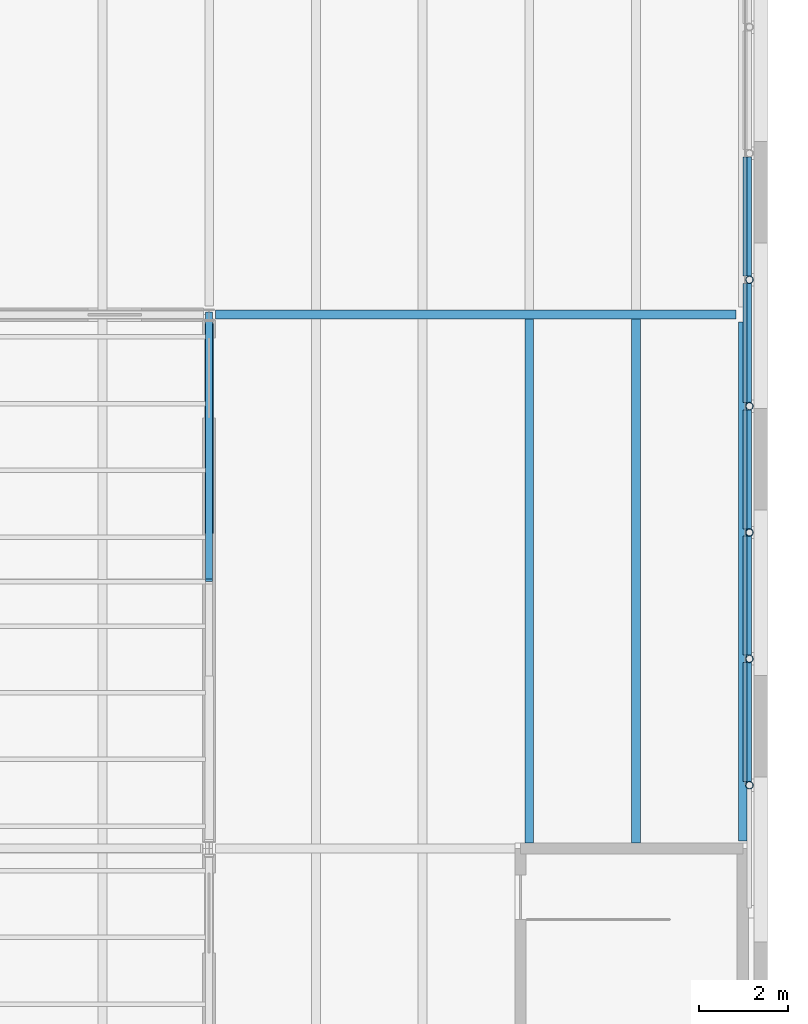
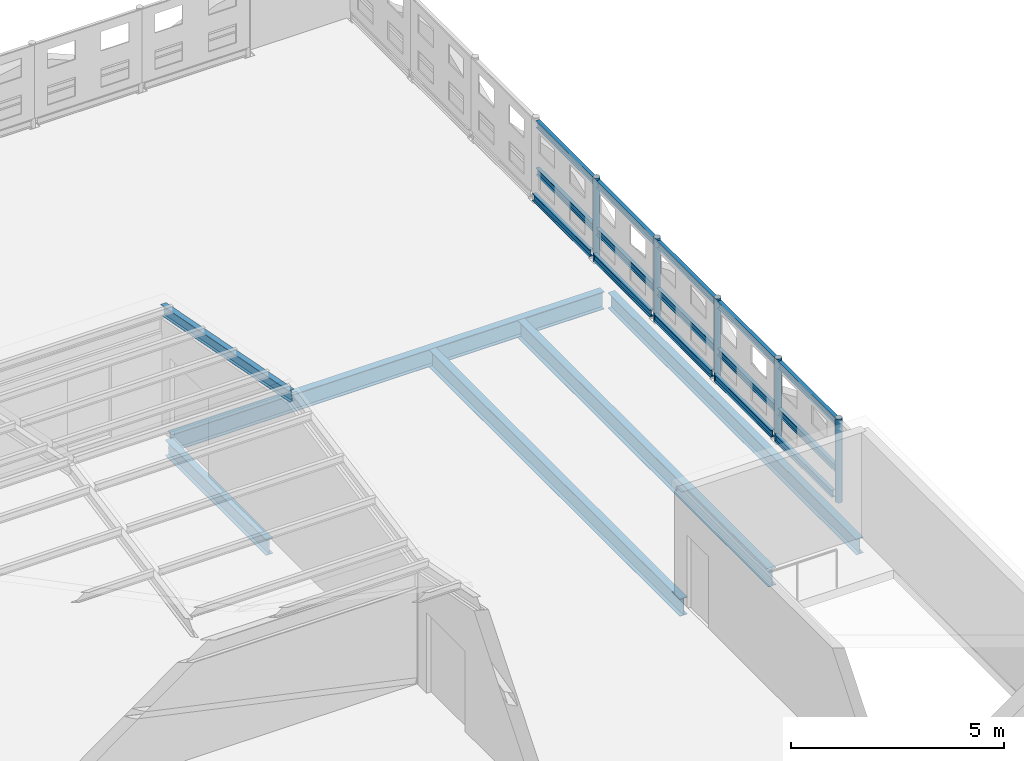
# One storey, part 47 of 91: 20 members, 6 beams.
"""IFC4 building model written with IfcOpenShell, lengths in metres."""

from ifc_helpers import new_model, si_unit, direction, frame, origin, origin_2d, place, context, subcontext, project, spatial, hollow_circle, i_section, extrude, material, material_profile, profile_set, type_object, element, save


model = new_model("IFC4")

# Units and contexts
model_context = context("Model", 3, precision=1e-05, world=origin(), true_north=direction((0.0, 1.0)))
body_context = subcontext(model_context, "Body", "Model", "MODEL_VIEW")
ifc_project = project(units=[si_unit("LENGTHUNIT", "METRE"), si_unit("AREAUNIT", "SQUARE_METRE"), si_unit("VOLUMEUNIT", "CUBIC_METRE"), si_unit("PLANEANGLEUNIT", "RADIAN"), si_unit("MASSUNIT", "GRAM", prefix="KILO")], contexts=[model_context])

# Site, building, storey
site_placement = place(None, origin())
site = spatial("IfcSite", under=ifc_project, at=site_placement, CompositionType="ELEMENT")
building_placement = place(site_placement, origin())
building = spatial("IfcBuilding", under=site, at=building_placement, Name="Ravi Spectrum Wholesale Market", CompositionType="ELEMENT")
storey_placement = place(building_placement, frame((0.0, 0.0, 16.199951171875)))
storey = spatial("IfcBuildingStorey", under=building, at=storey_placement, Name="ROOF PLANT LEVEL", CompositionType="ELEMENT", Elevation=16.199951171875)

# Members
ifc_material_1 = material(Name="Steel S355", Category="steel")
ifc_material_profile_1 = material_profile(ifc_material_1, hollow_circle(Radius=0.084228515625, WallThickness=0.00634765625, at=origin_2d()))
ifc_profile_set_1 = profile_set([ifc_material_profile_1], Name="Steel S355")
member_type_1 = type_object("IfcMemberType", Name="CHS 168.3x6.3 post", PredefinedType="POST", material=ifc_profile_set_1)
for number, where, z_axis, x_axis, name in (
    (1, (282.14990234375, 43.420654296875, 0.0), (0.0, 0.0, 1.0), (1.0, 0.0, 0.0), "CS-MB-ROOF-039"),
    (2, (282.14990234375, 46.26171875, 0.0), (0.0, 0.0, 1.0), (1.0, 0.0, 0.0), "CS-MB-ROOF-040"),
    (3, (282.14990234375, 49.10302734375, 0.0), (0.0, 0.0, 1.0), (1.0, 0.0, 0.0), "CS-MB-ROOF-041"),
    (4, (282.14990234375, 51.944091796875, 0.0), (0.0, 0.0, 1.0), (1.0, 0.0, 0.0), "CS-MB-ROOF-042"),
    (5, (282.14990234375, 54.785400390625, 0.0), (0.0, 0.0, 1.0), (1.0, 0.0, 0.0), "CS-MB-ROOF-043"),
):
    element("IfcMember", number, at=place(storey_placement, frame(where, z_axis=z_axis, x_axis=x_axis)), inside=storey, type_object=member_type_1, Name=name, PredefinedType="POST", context=body_context, shape_type="SweptSolid", body=[
        extrude(hollow_circle(Radius=0.084228515625, WallThickness=0.00634765625, at=origin_2d()), origin(), (0.0, 0.0, 1.0), 2.400146484375),
    ])
ifc_material_2 = material(Name="Steel S355", Category="steel")
ifc_material_profile_2 = material_profile(ifc_material_2, i_section(OverallWidth=0.10009765625, OverallDepth=0.199951171875, WebThickness=0.005615234375, FlangeThickness=0.008544921875, at=origin_2d()))
ifc_profile_set_2 = profile_set([ifc_material_profile_2], Name="Steel S355")
member_type_2 = type_object("IfcMemberType", Name="IPE 200 purlin", PredefinedType="PURLIN", material=ifc_profile_set_2)
for number, where, z_axis, x_axis, name in (
    (6, (282.14990234375, 43.504638671875, 0.900146484375), (0.0, 1.0, 0.0), (-1.0, 0.0, 0.0), "CS-MB-ROOF-204"),
    (7, (282.14990234375, 43.504638671875, 2.25), (0.0, 1.0, 0.0), (-1.0, 0.0, 0.0), "CS-MB-ROOF-205"),
    (8, (282.05078125, 43.504638671875, 0.199951171875), (0.0, 1.0, 0.0), (-1.0, 0.0, 0.0), "CS-MB-ROOF-206"),
):
    element("IfcMember", number, at=place(storey_placement, frame(where, z_axis=z_axis, x_axis=x_axis)), inside=storey, type_object=member_type_2, Name=name, PredefinedType="PURLIN", context=body_context, shape_type="SweptSolid", body=[
        extrude(i_section(OverallWidth=0.10009765625, OverallDepth=0.199951171875, WebThickness=0.005615234375, FlangeThickness=0.008544921875, at=origin_2d()), origin(), (0.0, 0.0, 1.0), 2.673095703125),
    ])
for number, where, z_axis, x_axis, name in (
    (9, (282.14990234375, 46.345947265625, 0.900146484375), (0.0, 1.0, 0.0), (-1.0, 0.0, 0.0), "CS-MB-ROOF-207"),
    (10, (282.14990234375, 46.345947265625, 2.25), (0.0, 1.0, 0.0), (-1.0, 0.0, 0.0), "CS-MB-ROOF-208"),
    (11, (282.05078125, 46.345947265625, 0.199951171875), (0.0, 1.0, 0.0), (-1.0, 0.0, 0.0), "CS-MB-ROOF-209"),
    (12, (282.14990234375, 49.18701171875, 0.900146484375), (0.0, 1.0, 0.0), (-1.0, 0.0, 0.0), "CS-MB-ROOF-210"),
    (13, (282.14990234375, 49.18701171875, 2.25), (0.0, 1.0, 0.0), (-1.0, 0.0, 0.0), "CS-MB-ROOF-211"),
    (14, (282.05078125, 49.18701171875, 0.199951171875), (0.0, 1.0, 0.0), (-1.0, 0.0, 0.0), "CS-MB-ROOF-212"),
    (15, (282.14990234375, 52.0283203125, 0.900146484375), (0.0, 1.0, 0.0), (-1.0, 0.0, 0.0), "CS-MB-ROOF-213"),
    (16, (282.14990234375, 52.0283203125, 2.25), (0.0, 1.0, 0.0), (-1.0, 0.0, 0.0), "CS-MB-ROOF-214"),
    (17, (282.05078125, 52.0283203125, 0.199951171875), (0.0, 1.0, 0.0), (-1.0, 0.0, 0.0), "CS-MB-ROOF-215"),
    (18, (282.14990234375, 54.869384765625, 0.900146484375), (0.0, 1.0, 0.0), (-1.0, 0.0, 0.0), "CS-MB-ROOF-216"),
    (19, (282.14990234375, 54.869384765625, 2.25), (0.0, 1.0, 0.0), (-1.0, 0.0, 0.0), "CS-MB-ROOF-217"),
    (20, (282.05078125, 54.869384765625, 0.199951171875), (0.0, 1.0, 0.0), (-1.0, 0.0, 0.0), "CS-MB-ROOF-218"),
):
    element("IfcMember", number, at=place(storey_placement, frame(where, z_axis=z_axis, x_axis=x_axis)), inside=storey, type_object=member_type_2, Name=name, PredefinedType="PURLIN", context=body_context, shape_type="SweptSolid", body=[
        extrude(i_section(OverallWidth=0.10009765625, OverallDepth=0.199951171875, WebThickness=0.005615234375, FlangeThickness=0.008544921875, at=origin_2d()), origin(), (0.0, 0.0, 1.0), 2.6728515625),
    ])

# Beams
ifc_material_3 = material(Name="Steel S355", Category="steel")
ifc_material_profile_3 = material_profile(ifc_material_3, i_section(OverallWidth=0.14990234375, OverallDepth=0.300048828125, WebThickness=0.007080078125, FlangeThickness=0.0107421875, at=origin_2d()))
ifc_profile_set_3 = profile_set([ifc_material_profile_3], Name="Steel S355")
beam_type_1 = type_object("IfcBeamType", Name="IPE 300 beam", PredefinedType="BEAM", material=ifc_profile_set_3)
beam_1_placement = place(storey_placement, frame((270.0, 54.028564453125, 3.3193359375), z_axis=(0.0, -0.981627860336, 0.190805513054), x_axis=(1.0, 0.0, 0.0)))
element("IfcBeam", 21, at=beam_1_placement, inside=storey, type_object=beam_type_1, Name="CS-BM-ROOF-239", PredefinedType="BEAM", context=body_context, shape_type="SweptSolid", body=[
    extrude(i_section(OverallWidth=0.14990234375, OverallDepth=0.300048828125, WebThickness=0.007080078125, FlangeThickness=0.0107421875, at=origin_2d()), origin(), (0.0, 0.0, 1.0), 6.1123046875),
])
ifc_material_4 = material(Name="Steel S355", Category="steel")
ifc_material_profile_4 = material_profile(ifc_material_4, i_section(OverallWidth=0.18994140625, OverallDepth=0.449951171875, WebThickness=0.009521484375, FlangeThickness=0.0146484375, at=origin_2d()))
ifc_profile_set_4 = profile_set([ifc_material_profile_4], Name="Steel S355")
beam_type_2 = type_object("IfcBeamType", Name="IPE 450 girder", PredefinedType="BEAM", material=ifc_profile_set_4)
beam_2_placement = place(storey_placement, frame((270.0, 49.074951171875, -0.474853515625), z_axis=(0.0, 1.0, 0.0), x_axis=(-1.0, 0.0, 0.0)))
element("IfcBeam", 22, at=beam_2_placement, inside=storey, type_object=beam_type_2, Name="CS-BM-ROOF-062", PredefinedType="BEAM", context=body_context, shape_type="SweptSolid", body=[
    extrude(i_section(OverallWidth=0.18994140625, OverallDepth=0.449951171875, WebThickness=0.009521484375, FlangeThickness=0.0146484375, at=origin_2d()), origin(), (0.0, 0.0, 1.0), 4.72509765625),
])
beam_3_placement = place(storey_placement, frame((282.0, 42.169921875, -0.474853515625), z_axis=(0.0, 1.0, 0.0), x_axis=(-1.0, 0.0, 0.0)))
element("IfcBeam", 23, at=beam_3_placement, inside=storey, type_object=beam_type_2, Name="CS-BM-ROOF-066", PredefinedType="BEAM", context=body_context, shape_type="SweptSolid", body=[
    extrude(i_section(OverallWidth=0.18994140625, OverallDepth=0.449951171875, WebThickness=0.009521484375, FlangeThickness=0.0146484375, at=origin_2d()), origin(), (0.0, 0.0, 1.0), 11.66015625),
])
ifc_material_5 = material(Name="Steel S355", Category="steel")
ifc_material_profile_5 = material_profile(ifc_material_5, i_section(OverallWidth=0.199951171875, OverallDepth=0.5, WebThickness=0.01025390625, FlangeThickness=0.01611328125, at=origin_2d()))
ifc_profile_set_5 = profile_set([ifc_material_profile_5], Name="Steel S355")
beam_type_3 = type_object("IfcBeamType", Name="IPE 500 beam", PredefinedType="BEAM", material=ifc_profile_set_5)
beam_4_placement = place(storey_placement, frame((270.14990234375, 54.0, -0.5), z_axis=(1.0, 0.0, 0.0), x_axis=(0.0, 1.0, 0.0)))
element("IfcBeam", 24, at=beam_4_placement, inside=storey, type_object=beam_type_3, Name="CS-BM-ROOF-028", PredefinedType="BEAM", context=body_context, shape_type="SweptSolid", body=[
    extrude(i_section(OverallWidth=0.199951171875, OverallDepth=0.5, WebThickness=0.01025390625, FlangeThickness=0.01611328125, at=origin_2d()), origin(), (0.0, 0.0, 1.0), 11.7001953125),
])
for number, where, z_axis, x_axis, name in (
    (25, (277.199951171875, 42.125, -0.5), (0.0, 1.0, 0.0), (-1.0, 0.0, 0.0), "CS-BM-ROOF-174"),
    (26, (279.60009765625, 42.125, -0.5), (0.0, 1.0, 0.0), (-1.0, 0.0, 0.0), "CS-BM-ROOF-175"),
):
    element("IfcBeam", number, at=place(storey_placement, frame(where, z_axis=z_axis, x_axis=x_axis)), inside=storey, type_object=beam_type_3, Name=name, PredefinedType="BEAM", context=body_context, shape_type="SweptSolid", body=[
        extrude(i_section(OverallWidth=0.199951171875, OverallDepth=0.5, WebThickness=0.01025390625, FlangeThickness=0.01611328125, at=origin_2d()), origin(), (0.0, 0.0, 1.0), 11.77490234375),
    ])

save(model, "model.ifc")
